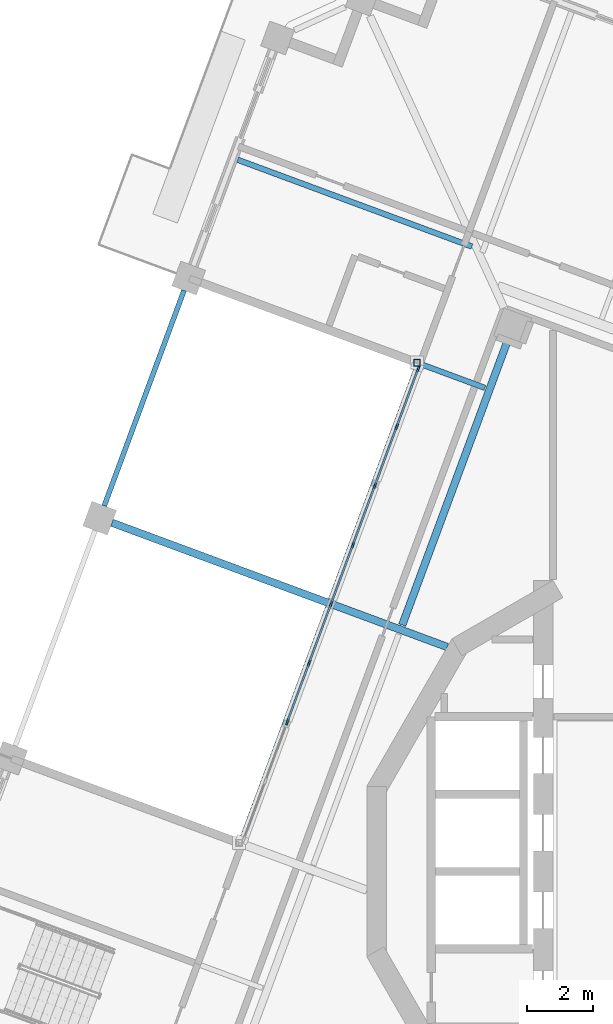
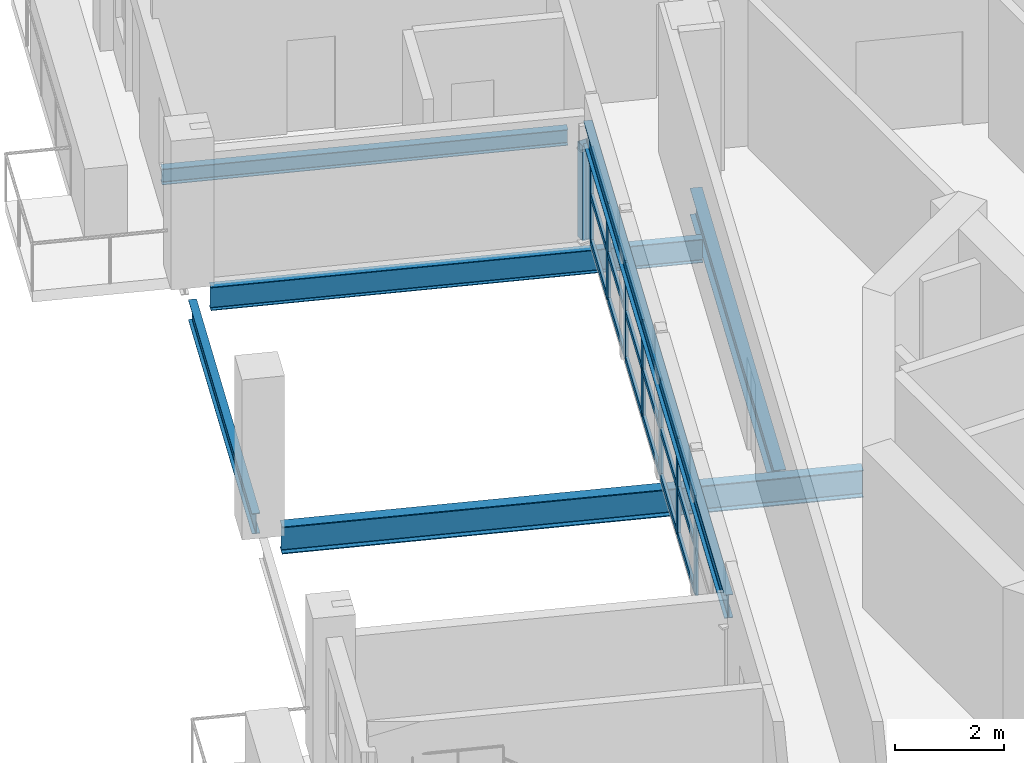
# One storey, part 4 of 20: 26 members, 6 beams, 1 element without a shape of its own.
"""IFC4 building model written with IfcOpenShell, lengths in metres."""

import ifcopenshell
import ifcopenshell.guid

model = None  # the IFC model being written
_history = None  # IfcOwnerHistory: only IFC2X3 demands one
_inside = {}  # id of a spatial element -> (the spatial element, [elements in it])
_under = {}  # id of a project, library or spatial element -> (it, [spatial elements below it])
_declared = {}  # id of a project -> (the project, [libraries it declares])
_typed = {}  # id of a type object -> (the type object, [elements of that type])
_made_of = {}  # id of a material, layer set ... -> (it, [elements and type objects made of it])


def new_model(schema):
    """Start an empty IFC model of exactly this schema.

    Asked for "IFC4X3", IfcOpenShell would pick the latest addendum, in which some entities
    have other attributes; the version numbers below select the first issue.
    IFC2X3 requires an IfcOwnerHistory on every rooted entity: one is made here for all.
    """
    global model, _history
    if schema == "IFC4X3":
        model = ifcopenshell.file(schema_version=(4, 3, 0, 0))
    else:
        model = ifcopenshell.file(schema=schema)
    _inside.clear()
    _under.clear()
    _declared.clear()
    _typed.clear()
    _made_of.clear()
    _history = None
    if model.schema == "IFC2X3":
        org = make("IfcOrganization", Name="unknown")
        user = make(
            "IfcPersonAndOrganization",
            ThePerson=make("IfcPerson", FamilyName="unknown"),
            TheOrganization=org,
        )
        app = make(
            "IfcApplication",
            ApplicationDeveloper=org,
            Version="unknown",
            ApplicationFullName="unknown",
            ApplicationIdentifier="unknown",
        )
        _history = make(
            "IfcOwnerHistory",
            OwningUser=user,
            OwningApplication=app,
            ChangeAction="ADDED",
            CreationDate=0,
        )
    return model


def make(cls, **values):
    """One entity of the class cls with the attributes given. An attribute that is None is left unset."""
    return model.create_entity(
        cls, **{name: value for name, value in values.items() if value is not None}
    )


def rooted(cls, **values):
    """An entity with a GlobalId (a new one), such as an element, a storey or a relation."""
    return make(cls, GlobalId=ifcopenshell.guid.new(), OwnerHistory=_history, **values)


def si_unit(unit_type, name, prefix=None):
    """IfcSIUnit, for example si_unit("LENGTHUNIT", "METRE", prefix="MILLI")."""
    return make("IfcSIUnit", UnitType=unit_type, Prefix=prefix, Name=name)


def assignment(units):
    """IfcUnitAssignment: the units of a project."""
    return None if units is None else make("IfcUnitAssignment", Units=units)


def point(xyz):
    """IfcCartesianPoint."""
    return None if xyz is None else make("IfcCartesianPoint", Coordinates=xyz)


def direction(xyz):
    """IfcDirection."""
    return None if xyz is None else make("IfcDirection", DirectionRatios=xyz)


def frame(location, z_axis=None, x_axis=None):
    """IfcAxis2Placement3D, a coordinate frame: its origin and axes. An axis left out is left unset."""
    return make(
        "IfcAxis2Placement3D",
        Location=point(location),
        Axis=direction(z_axis),
        RefDirection=direction(x_axis),
    )


def frame_2d(location, x_axis=None):
    """IfcAxis2Placement2D, a coordinate frame in the plane: its origin and x axis."""
    return make(
        "IfcAxis2Placement2D", Location=point(location), RefDirection=direction(x_axis)
    )


def origin():
    """The frame at (0, 0, 0) with its axes left unset."""
    return frame((0.0, 0.0, 0.0))


def origin_2d():
    """The frame at (0, 0) in the plane with its x axis left unset."""
    return frame_2d((0.0, 0.0))


def place(relative_to, where):
    """IfcLocalPlacement: puts the frame where relative to a parent placement (None: the world)."""
    return make(
        "IfcLocalPlacement", PlacementRelTo=relative_to, RelativePlacement=where
    )


def context(
    kind, dimensions, precision=None, world=None, true_north=None, identifier=None
):
    """IfcGeometricRepresentationContext, for example the 3D "Model" context."""
    return make(
        "IfcGeometricRepresentationContext",
        ContextIdentifier=identifier,
        ContextType=kind,
        CoordinateSpaceDimension=dimensions,
        Precision=precision,
        WorldCoordinateSystem=world,
        TrueNorth=true_north,
    )


def subcontext(parent, identifier, kind, view, scale=None):
    """IfcGeometricRepresentationSubContext, for example "Body" below "Model"."""
    return make(
        "IfcGeometricRepresentationSubContext",
        ContextIdentifier=identifier,
        ContextType=kind,
        ParentContext=parent,
        TargetScale=scale,
        TargetView=view,
    )


def project(units=None, contexts=None):
    """IfcProject with its units and contexts."""
    return rooted(
        "IfcProject",
        Name="project",
        RepresentationContexts=contexts,
        UnitsInContext=assignment(units),
    )


def spatial(cls, under=None, at=None, **own):
    """A site, building, storey or space (cls), placed at a placement, below another one or the project."""
    s = rooted(cls, ObjectPlacement=at, **own)
    if under is not None:
        _under.setdefault(under.id(), (under, []))[1].append(s)
    return s


def profile(cls, at=None, kind="AREA", **sizes):
    """A parametric profile (cls). Its sizes go by their IFC names, for example OverallWidth=200.0."""
    return make(cls, ProfileType=kind, Position=at, **sizes)


def rectangle(**sizes):
    """IfcRectangleProfileDef."""
    return profile("IfcRectangleProfileDef", **sizes)


def hollow_rectangle(**sizes):
    """IfcRectangleHollowProfileDef."""
    return profile("IfcRectangleHollowProfileDef", **sizes)


def i_section(**sizes):
    """IfcIShapeProfileDef."""
    return profile("IfcIShapeProfileDef", **sizes)


def extrude(swept, where, along, depth):
    """IfcExtrudedAreaSolid: the profile swept, set in the frame where, extruded along a direction by depth."""
    return make(
        "IfcExtrudedAreaSolid",
        SweptArea=swept,
        Position=where,
        ExtrudedDirection=direction(along),
        Depth=depth,
    )


def shape(context_of_items, identifier, shape_type, items):
    """IfcShapeRepresentation: the items that make up one representation, for example the "Body"."""
    return make(
        "IfcShapeRepresentation",
        ContextOfItems=context_of_items,
        RepresentationIdentifier=identifier,
        RepresentationType=shape_type,
        Items=items,
    )


def material(Name=None, Category=None):
    """IfcMaterial."""
    return make("IfcMaterial", Name=Name, Category=Category)


def material_profile(
    of_material, cross_section, Name=None, Category=None, Priority=None
):
    """IfcMaterialProfile: a cross section and its material."""
    return make(
        "IfcMaterialProfile",
        Name=Name,
        Material=of_material,
        Profile=cross_section,
        Priority=Priority,
        Category=Category,
    )


def profile_set(profiles, Name=None, composite=None):
    """IfcMaterialProfileSet."""
    return make(
        "IfcMaterialProfileSet",
        Name=Name,
        MaterialProfiles=profiles,
        CompositeProfile=composite,
    )


def made_of(thing, what):
    """Note that an element or type object is made of a material, layer set ...; save() writes the relation."""
    if what is not None:
        _made_of.setdefault(what.id(), (what, []))[1].append(thing)
    return thing


def type_object(cls, material=None, **own):
    """A type object (cls), such as IfcWallType, which elements share."""
    return made_of(rooted(cls, **own), material)


def element(
    cls,
    number,
    at=None,
    inside=None,
    cuts=None,
    type_object=None,
    material=None,
    context=None,
    identifier="Body",
    shape_type=None,
    held_by="IfcProductDefinitionShape",
    body=None,
    shapes=None,
    **own,
):
    """One element of the class cls, such as IfcWall. Its Tag is "e" and its number.

    at: its placement. inside: the storey or other place that contains it. cuts: it is an
    opening in that element (IfcRelVoidsElement). A single representation is given by context,
    identifier, shape_type and body (its items); several are given by shapes. held_by: the class
    of the entity that holds the representations. save() writes the other relations.
    """
    e = rooted(cls, Tag="e%d" % number, ObjectPlacement=at, **own)
    if body is not None:
        shapes = [shape(context, identifier, shape_type, body)]
    if shapes is not None:
        e.Representation = make(held_by, Representations=shapes)
    if inside is not None:
        _inside.setdefault(inside.id(), (inside, []))[1].append(e)
    if cuts is not None:
        rooted(
            "IfcRelVoidsElement", RelatingBuildingElement=cuts, RelatedOpeningElement=e
        )
    if type_object is not None:
        _typed.setdefault(type_object.id(), (type_object, []))[1].append(e)
    return made_of(e, material)


def aggregate(whole, parts):
    """IfcRelAggregates: a whole, such as a stair, and the parts it consists of."""
    return rooted("IfcRelAggregates", RelatingObject=whole, RelatedObjects=parts)


def save(model, path):
    """Write the relations noted so far, then the file.

    IfcRelAggregates (storeys below a building ...), IfcRelContainedInSpatialStructure (elements
    in a storey), IfcRelDefinesByType, IfcRelAssociatesMaterial and IfcRelDeclares: one each for
    every whole, place, type object, material and project.
    """
    for whole, parts in _under.values():
        aggregate(whole, parts)
    for where, things in _inside.values():
        rooted(
            "IfcRelContainedInSpatialStructure",
            RelatedElements=things,
            RelatingStructure=where,
        )
    for kind, things in _typed.values():
        rooted("IfcRelDefinesByType", RelatedObjects=things, RelatingType=kind)
    for what, things in _made_of.values():
        rooted("IfcRelAssociatesMaterial", RelatedObjects=things, RelatingMaterial=what)
    for by, libraries in _declared.values():
        rooted("IfcRelDeclares", RelatingContext=by, RelatedDefinitions=libraries)
    model.write(path)


model = new_model("IFC4")

# Units and contexts
model_context = context("Model", 3, precision=1e-05, world=origin(), true_north=direction((0.0, 1.0)))
body_context = subcontext(model_context, "Body", "Model", "MODEL_VIEW")
ifc_project = project(units=[si_unit("LENGTHUNIT", "METRE"), si_unit("AREAUNIT", "SQUARE_METRE"), si_unit("VOLUMEUNIT", "CUBIC_METRE"), si_unit("PLANEANGLEUNIT", "RADIAN"), si_unit("MASSUNIT", "GRAM", prefix="KILO")], contexts=[model_context])

# Site, building, storey
site_placement = place(None, origin())
site = spatial("IfcSite", under=ifc_project, at=site_placement, CompositionType="ELEMENT")
building_placement = place(site_placement, origin())
building = spatial("IfcBuilding", under=site, at=building_placement, Name="Cantera Rosa Tower", CompositionType="ELEMENT")
storey_placement = place(building_placement, frame((0.0, 0.0, 313.300048828125)))
storey = spatial("IfcBuildingStorey", under=building, at=storey_placement, Name="L69", CompositionType="ELEMENT", Elevation=313.300048828125)

# Curtain wall, members
ifc_material_1 = material(Name="Aluminium frame with clear glass", Category="aluminium")
curtain_wall_type = type_object("IfcCurtainWallType", Name="CW1 TERRACE POCKET GLAZING", PredefinedType="NOTDEFINED", material=ifc_material_1)
curtain_wall_placement = place(storey_placement, origin())
curtain_wall = element("IfcCurtainWall", 1, at=curtain_wall_placement, inside=storey, type_object=curtain_wall_type, Name="CW1 CW1", PredefinedType="NOTDEFINED")
ifc_material_2 = material(Name="Anodised bronze aluminium", Category="aluminium")
ifc_material_profile_1 = material_profile(ifc_material_2, rectangle(XDim=0.06005859375, YDim=0.179931640625, at=origin_2d()), Name="CW-MULLION 60x180 POCKET")
ifc_profile_set_1 = profile_set([ifc_material_profile_1], Name="Anodised bronze aluminium")
member_type_1 = type_object("IfcMemberType", Name="CW-MULLION 60x180 POCKET", PredefinedType="MULLION", material=ifc_profile_set_1)
member_1_placement = place(storey_placement, frame((-8.094970703125, 15.280029296875, 0.0), z_axis=(0.0, 0.0, 1.0), x_axis=(0.93768693693, -0.347481234472, 0.0)))
member_1 = element("IfcMember", 2, at=member_1_placement, type_object=member_type_1, Name="CW1 mullion 1", PredefinedType="MULLION", context=body_context, shape_type="SweptSolid", body=[
    extrude(rectangle(XDim=0.06005859375, YDim=0.179931640625, at=origin_2d()), origin(), (0.0, 0.0, 1.0), 2.1279296875),
])
member_2_placement = place(storey_placement, frame((-8.74951171875, 13.513671875, 0.0), z_axis=(0.0, 0.0, 1.0), x_axis=(0.93768693693, -0.347481234472, 0.0)))
member_2 = element("IfcMember", 3, at=member_2_placement, type_object=member_type_1, Name="CW1 mullion 2", PredefinedType="MULLION", context=body_context, shape_type="SweptSolid", body=[
    extrude(rectangle(XDim=0.06005859375, YDim=0.179931640625, at=origin_2d()), origin(), (0.0, 0.0, 1.0), 2.1279296875),
])
member_3_placement = place(storey_placement, frame((-9.41455078125, 11.718994140625, 0.0), z_axis=(0.0, 0.0, 1.0), x_axis=(0.93768693693, -0.347481234472, 0.0)))
member_3 = element("IfcMember", 4, at=member_3_placement, type_object=member_type_1, Name="CW1 mullion 3", PredefinedType="MULLION", context=body_context, shape_type="SweptSolid", body=[
    extrude(rectangle(XDim=0.06005859375, YDim=0.179931640625, at=origin_2d()), origin(), (0.0, 0.0, 1.0), 2.1279296875),
])
member_4_placement = place(storey_placement, frame((-10.079345703125, 9.924560546875, 0.0), z_axis=(0.0, 0.0, 1.0), x_axis=(0.93768693693, -0.347481234472, 0.0)))
member_4 = element("IfcMember", 5, at=member_4_placement, type_object=member_type_1, Name="CW1 mullion 4", PredefinedType="MULLION", context=body_context, shape_type="SweptSolid", body=[
    extrude(rectangle(XDim=0.06005859375, YDim=0.179931640625, at=origin_2d()), origin(), (0.0, 0.0, 1.0), 2.1279296875),
])
member_5_placement = place(storey_placement, frame((-10.744384765625, 8.130126953125, 0.0), z_axis=(0.0, 0.0, 1.0), x_axis=(0.93768693693, -0.347481234472, 0.0)))
member_5 = element("IfcMember", 6, at=member_5_placement, type_object=member_type_1, Name="CW1 mullion 5", PredefinedType="MULLION", context=body_context, shape_type="SweptSolid", body=[
    extrude(rectangle(XDim=0.06005859375, YDim=0.179931640625, at=origin_2d()), origin(), (0.0, 0.0, 1.0), 2.1279296875),
])
member_6_placement = place(storey_placement, frame((-11.409423828125, 6.335693359375, 0.0), z_axis=(0.0, 0.0, 1.0), x_axis=(0.93768693693, -0.347481234472, 0.0)))
member_6 = element("IfcMember", 7, at=member_6_placement, type_object=member_type_1, Name="CW1 mullion 6", PredefinedType="MULLION", context=body_context, shape_type="SweptSolid", body=[
    extrude(rectangle(XDim=0.06005859375, YDim=0.179931640625, at=origin_2d()), origin(), (0.0, 0.0, 1.0), 2.1279296875),
])
member_7_placement = place(storey_placement, frame((-12.074462890625, 4.541015625, 0.0), z_axis=(0.0, 0.0, 1.0), x_axis=(0.93768693693, -0.347481234472, 0.0)))
member_7 = element("IfcMember", 8, at=member_7_placement, type_object=member_type_1, Name="CW1 mullion 7", PredefinedType="MULLION", context=body_context, shape_type="SweptSolid", body=[
    extrude(rectangle(XDim=0.06005859375, YDim=0.179931640625, at=origin_2d()), origin(), (0.0, 0.0, 1.0), 2.1279296875),
])
ifc_material_3 = material(Name="Anodised bronze aluminium", Category="aluminium")
ifc_material_profile_2 = material_profile(ifc_material_3, rectangle(XDim=0.06005859375, YDim=0.139892578125, at=origin_2d()), Name="CW-TRANSOM 60x140 POCKET")
ifc_profile_set_2 = profile_set([ifc_material_profile_2], Name="Anodised bronze aluminium")
member_type_2 = type_object("IfcMemberType", Name="CW-TRANSOM 60x140 POCKET", PredefinedType="USERDEFINED", material=ifc_profile_set_2)
member_8_placement = place(storey_placement, frame((-8.105224609375, 15.251953125, 0.030029296875), z_axis=(-0.347497456421, -0.937680925358, 0.0), x_axis=(0.937680925358, -0.347497456421, 0.0)))
member_8 = element("IfcMember", 9, at=member_8_placement, type_object=member_type_2, Name="CW1 transom 1.1", ObjectType="TRANSOM", PredefinedType="USERDEFINED", context=body_context, shape_type="SweptSolid", body=[
    extrude(rectangle(XDim=0.06005859375, YDim=0.139892578125, at=origin_2d()), origin(), (0.0, 0.0, 1.0), 1.823974609375),
])
member_9_placement = place(storey_placement, frame((-8.105224609375, 15.251953125, 1.06396484375), z_axis=(-0.347497456421, -0.937680925358, 0.0), x_axis=(0.937680925358, -0.347497456421, 0.0)))
member_9 = element("IfcMember", 10, at=member_9_placement, type_object=member_type_2, Name="CW1 transom 1.2", ObjectType="TRANSOM", PredefinedType="USERDEFINED", context=body_context, shape_type="SweptSolid", body=[
    extrude(rectangle(XDim=0.06005859375, YDim=0.139892578125, at=origin_2d()), origin(), (0.0, 0.0, 1.0), 1.823974609375),
])
member_10_placement = place(storey_placement, frame((-8.105224609375, 15.251953125, 2.097900390625), z_axis=(-0.347497456421, -0.937680925358, 0.0), x_axis=(0.937680925358, -0.347497456421, 0.0)))
member_10 = element("IfcMember", 11, at=member_10_placement, type_object=member_type_2, Name="CW1 transom 1.3", ObjectType="TRANSOM", PredefinedType="USERDEFINED", context=body_context, shape_type="SweptSolid", body=[
    extrude(rectangle(XDim=0.06005859375, YDim=0.139892578125, at=origin_2d()), origin(), (0.0, 0.0, 1.0), 1.823974609375),
])
member_11_placement = place(storey_placement, frame((-8.760009765625, 13.485595703125, 0.030029296875), z_axis=(-0.347425877782, -0.937707448753, 0.0), x_axis=(0.937707448753, -0.347425877782, 0.0)))
member_11 = element("IfcMember", 12, at=member_11_placement, type_object=member_type_2, Name="CW1 transom 2.1", ObjectType="TRANSOM", PredefinedType="USERDEFINED", context=body_context, shape_type="SweptSolid", body=[
    extrude(rectangle(XDim=0.06005859375, YDim=0.139892578125, at=origin_2d()), origin(), (0.0, 0.0, 1.0), 1.853759765625),
])
member_12_placement = place(storey_placement, frame((-8.760009765625, 13.485595703125, 1.06396484375), z_axis=(-0.347425877782, -0.937707448753, 0.0), x_axis=(0.937707448753, -0.347425877782, 0.0)))
member_12 = element("IfcMember", 13, at=member_12_placement, type_object=member_type_2, Name="CW1 transom 2.2", ObjectType="TRANSOM", PredefinedType="USERDEFINED", context=body_context, shape_type="SweptSolid", body=[
    extrude(rectangle(XDim=0.06005859375, YDim=0.139892578125, at=origin_2d()), origin(), (0.0, 0.0, 1.0), 1.853759765625),
])
member_13_placement = place(storey_placement, frame((-8.760009765625, 13.485595703125, 2.097900390625), z_axis=(-0.347425877782, -0.937707448753, 0.0), x_axis=(0.937707448753, -0.347425877782, 0.0)))
member_13 = element("IfcMember", 14, at=member_13_placement, type_object=member_type_2, Name="CW1 transom 2.3", ObjectType="TRANSOM", PredefinedType="USERDEFINED", context=body_context, shape_type="SweptSolid", body=[
    extrude(rectangle(XDim=0.06005859375, YDim=0.139892578125, at=origin_2d()), origin(), (0.0, 0.0, 1.0), 1.853759765625),
])
member_14_placement = place(storey_placement, frame((-9.4248046875, 11.69091796875, 0.030029296875), z_axis=(-0.347541673446, -0.937664537678, 0.0), x_axis=(0.937664537678, -0.347541673446, 0.0)))
member_14 = element("IfcMember", 15, at=member_14_placement, type_object=member_type_2, Name="CW1 transom 3.1", ObjectType="TRANSOM", PredefinedType="USERDEFINED", context=body_context, shape_type="SweptSolid", body=[
    extrude(rectangle(XDim=0.06005859375, YDim=0.139892578125, at=origin_2d()), origin(), (0.0, 0.0, 1.0), 1.853759765625),
])
member_15_placement = place(storey_placement, frame((-9.4248046875, 11.69091796875, 1.06396484375), z_axis=(-0.347541673446, -0.937664537678, 0.0), x_axis=(0.937664537678, -0.347541673446, 0.0)))
member_15 = element("IfcMember", 16, at=member_15_placement, type_object=member_type_2, Name="CW1 transom 3.2", ObjectType="TRANSOM", PredefinedType="USERDEFINED", context=body_context, shape_type="SweptSolid", body=[
    extrude(rectangle(XDim=0.06005859375, YDim=0.139892578125, at=origin_2d()), origin(), (0.0, 0.0, 1.0), 1.853759765625),
])
member_16_placement = place(storey_placement, frame((-9.4248046875, 11.69091796875, 2.097900390625), z_axis=(-0.347541673446, -0.937664537678, 0.0), x_axis=(0.937664537678, -0.347541673446, 0.0)))
member_16 = element("IfcMember", 17, at=member_16_placement, type_object=member_type_2, Name="CW1 transom 3.3", ObjectType="TRANSOM", PredefinedType="USERDEFINED", context=body_context, shape_type="SweptSolid", body=[
    extrude(rectangle(XDim=0.06005859375, YDim=0.139892578125, at=origin_2d()), origin(), (0.0, 0.0, 1.0), 1.853759765625),
])
member_17_placement = place(storey_placement, frame((-10.08984375, 9.896484375, 0.030029296875), z_axis=(-0.347541673446, -0.937664537678, 0.0), x_axis=(0.937664537678, -0.347541673446, 0.0)))
member_17 = element("IfcMember", 18, at=member_17_placement, type_object=member_type_2, Name="CW1 transom 4.1", ObjectType="TRANSOM", PredefinedType="USERDEFINED", context=body_context, shape_type="SweptSolid", body=[
    extrude(rectangle(XDim=0.06005859375, YDim=0.139892578125, at=origin_2d()), origin(), (0.0, 0.0, 1.0), 1.853759765625),
])
member_18_placement = place(storey_placement, frame((-10.08984375, 9.896484375, 1.06396484375), z_axis=(-0.347541673446, -0.937664537678, 0.0), x_axis=(0.937664537678, -0.347541673446, 0.0)))
member_18 = element("IfcMember", 19, at=member_18_placement, type_object=member_type_2, Name="CW1 transom 4.2", ObjectType="TRANSOM", PredefinedType="USERDEFINED", context=body_context, shape_type="SweptSolid", body=[
    extrude(rectangle(XDim=0.06005859375, YDim=0.139892578125, at=origin_2d()), origin(), (0.0, 0.0, 1.0), 1.853759765625),
])
member_19_placement = place(storey_placement, frame((-10.08984375, 9.896484375, 2.097900390625), z_axis=(-0.347541673446, -0.937664537678, 0.0), x_axis=(0.937664537678, -0.347541673446, 0.0)))
member_19 = element("IfcMember", 20, at=member_19_placement, type_object=member_type_2, Name="CW1 transom 4.3", ObjectType="TRANSOM", PredefinedType="USERDEFINED", context=body_context, shape_type="SweptSolid", body=[
    extrude(rectangle(XDim=0.06005859375, YDim=0.139892578125, at=origin_2d()), origin(), (0.0, 0.0, 1.0), 1.853759765625),
])
member_20_placement = place(storey_placement, frame((-10.7548828125, 8.10205078125, 0.030029296875), z_axis=(-0.347425877782, -0.937707448753, 0.0), x_axis=(0.937707448753, -0.347425877782, 0.0)))
member_20 = element("IfcMember", 21, at=member_20_placement, type_object=member_type_2, Name="CW1 transom 5.1", ObjectType="TRANSOM", PredefinedType="USERDEFINED", context=body_context, shape_type="SweptSolid", body=[
    extrude(rectangle(XDim=0.06005859375, YDim=0.139892578125, at=origin_2d()), origin(), (0.0, 0.0, 1.0), 1.853759765625),
])
member_21_placement = place(storey_placement, frame((-10.7548828125, 8.10205078125, 1.06396484375), z_axis=(-0.347425877782, -0.937707448753, 0.0), x_axis=(0.937707448753, -0.347425877782, 0.0)))
member_21 = element("IfcMember", 22, at=member_21_placement, type_object=member_type_2, Name="CW1 transom 5.2", ObjectType="TRANSOM", PredefinedType="USERDEFINED", context=body_context, shape_type="SweptSolid", body=[
    extrude(rectangle(XDim=0.06005859375, YDim=0.139892578125, at=origin_2d()), origin(), (0.0, 0.0, 1.0), 1.853759765625),
])
member_22_placement = place(storey_placement, frame((-10.7548828125, 8.10205078125, 2.097900390625), z_axis=(-0.347425877782, -0.937707448753, 0.0), x_axis=(0.937707448753, -0.347425877782, 0.0)))
member_22 = element("IfcMember", 23, at=member_22_placement, type_object=member_type_2, Name="CW1 transom 5.3", ObjectType="TRANSOM", PredefinedType="USERDEFINED", context=body_context, shape_type="SweptSolid", body=[
    extrude(rectangle(XDim=0.06005859375, YDim=0.139892578125, at=origin_2d()), origin(), (0.0, 0.0, 1.0), 1.853759765625),
])
member_23_placement = place(storey_placement, frame((-11.419921875, 6.307373046875, 0.030029296875), z_axis=(-0.347468788607, -0.937691548935, 0.0), x_axis=(0.937691548935, -0.347468788607, 0.0)))
member_23 = element("IfcMember", 24, at=member_23_placement, type_object=member_type_2, Name="CW1 transom 6.1", ObjectType="TRANSOM", PredefinedType="USERDEFINED", context=body_context, shape_type="SweptSolid", body=[
    extrude(rectangle(XDim=0.06005859375, YDim=0.139892578125, at=origin_2d()), origin(), (0.0, 0.0, 1.0), 1.853515625),
])
member_24_placement = place(storey_placement, frame((-11.419921875, 6.307373046875, 1.06396484375), z_axis=(-0.347468788607, -0.937691548935, 0.0), x_axis=(0.937691548935, -0.347468788607, 0.0)))
member_24 = element("IfcMember", 25, at=member_24_placement, type_object=member_type_2, Name="CW1 transom 6.2", ObjectType="TRANSOM", PredefinedType="USERDEFINED", context=body_context, shape_type="SweptSolid", body=[
    extrude(rectangle(XDim=0.06005859375, YDim=0.139892578125, at=origin_2d()), origin(), (0.0, 0.0, 1.0), 1.853515625),
])
member_25_placement = place(storey_placement, frame((-11.419921875, 6.307373046875, 2.097900390625), z_axis=(-0.347468788607, -0.937691548935, 0.0), x_axis=(0.937691548935, -0.347468788607, 0.0)))
member_25 = element("IfcMember", 26, at=member_25_placement, type_object=member_type_2, Name="CW1 transom 6.3", ObjectType="TRANSOM", PredefinedType="USERDEFINED", context=body_context, shape_type="SweptSolid", body=[
    extrude(rectangle(XDim=0.06005859375, YDim=0.139892578125, at=origin_2d()), origin(), (0.0, 0.0, 1.0), 1.853515625),
])
aggregate(curtain_wall, [member_1, member_2, member_3, member_4, member_5, member_6, member_7, member_8, member_9, member_10, member_11, member_12, member_13, member_14, member_15, member_16, member_17, member_18, member_19, member_20, member_21, member_22, member_23, member_24, member_25])

# Member
ifc_material_4 = material(Name="Steel ASTM A992 (Fy 345 MPa)", Category="steel")
ifc_material_profile_3 = material_profile(ifc_material_4, hollow_rectangle(XDim=0.199951171875, YDim=0.199951171875, WallThickness=0.010009765625, at=origin_2d()), Name="LINTEL POST RHS 200x200x10")
ifc_profile_set_3 = profile_set([ifc_material_profile_3], Name="Steel ASTM A992 (Fy 345 MPa)")
member_type_3 = type_object("IfcMemberType", Name="LINTEL POST RHS 200x200x10", PredefinedType="USERDEFINED", material=ifc_profile_set_3)
member_26_placement = place(storey_placement, frame((-8.134765625, 15.460205078125, 0.0), z_axis=(0.0, 0.0, 1.0), x_axis=(1.0, 0.0, 0.0)))
element("IfcMember", 27, at=member_26_placement, inside=storey, type_object=member_type_3, Name="LINTEL POST L69-1", ObjectType="LINTEL POST", PredefinedType="USERDEFINED", context=body_context, shape_type="SweptSolid", body=[
    extrude(hollow_rectangle(XDim=0.199951171875, YDim=0.199951171875, WallThickness=0.010009765625, at=origin_2d()), origin(), (0.0, 0.0, 1.0), 2.1298828125),
])

# Beams
ifc_material_5 = material(Name="Steel ASTM A992 (Fy 345 MPa)", Category="steel")
ifc_material_profile_4 = material_profile(ifc_material_5, i_section(OverallWidth=0.166015625, OverallDepth=0.528076171875, WebThickness=0.009765625, FlangeThickness=0.013671875, FilletRadius=0.0126953125, at=origin_2d()), Name="W530X74")
ifc_profile_set_4 = profile_set([ifc_material_profile_4], Name="Steel ASTM A992 (Fy 345 MPa)")
beam_type_1 = type_object("IfcBeamType", Name="STEEL BEAM W530X74", PredefinedType="BEAM", material=ifc_profile_set_4)
beam_1_placement = place(storey_placement, frame((-14.69873046875, 17.892333984375, -0.51416015625), z_axis=(0.937688566, -0.347476838353, 0.0), x_axis=(0.347476838353, 0.937688566, 0.0)))
element("IfcBeam", 28, at=beam_1_placement, inside=storey, type_object=beam_type_1, Name="G-Z6-04 L69", PredefinedType="BEAM", context=body_context, shape_type="SweptSolid", body=[
    extrude(i_section(OverallWidth=0.166015625, OverallDepth=0.528076171875, WebThickness=0.009765625, FlangeThickness=0.013671875, FilletRadius=0.0126953125, at=origin_2d()), origin(), (0.0, 0.0, 1.0), 9.199951171875),
])
beam_2_placement = place(storey_placement, frame((-8.105224609375, 15.395751953125, 2.39404296875), z_axis=(-0.347483050197, -0.93768626407, 0.0), x_axis=(0.93768626407, -0.347483050197, 0.0)))
element("IfcBeam", 29, at=beam_2_placement, inside=storey, type_object=beam_type_1, Name="LINTEL SL-L69", PredefinedType="BEAM", context=body_context, shape_type="SweptSolid", body=[
    extrude(i_section(OverallWidth=0.166015625, OverallDepth=0.528076171875, WebThickness=0.009765625, FlangeThickness=0.013671875, FilletRadius=0.0126953125, at=origin_2d()), origin(), (0.0, 0.0, 1.0), 15.4599609375),
])
ifc_material_6 = material(Name="Steel ASTM A992 (Fy 345 MPa)", Category="steel")
ifc_material_profile_5 = material_profile(ifc_material_6, i_section(OverallWidth=0.22802734375, OverallDepth=0.60205078125, WebThickness=0.010498046875, FlangeThickness=0.014892578125, FilletRadius=0.0126953125, at=origin_2d()), Name="W610X101")
ifc_profile_set_5 = profile_set([ifc_material_profile_5], Name="Steel ASTM A992 (Fy 345 MPa)")
beam_type_2 = type_object("IfcBeamType", Name="STEEL BEAM W610X101", PredefinedType="BEAM", material=ifc_profile_set_5)
beam_3_placement = place(storey_placement, frame((-8.58251953125, 7.489013671875, -0.551025390625), z_axis=(0.347474937304, 0.937689270465, 0.0), x_axis=(-0.937689270465, 0.347474937304, 0.0)))
element("IfcBeam", 30, at=beam_3_placement, inside=storey, type_object=beam_type_2, Name="RB-Z6-03 L69", PredefinedType="BEAM", context=body_context, shape_type="SweptSolid", body=[
    extrude(i_section(OverallWidth=0.22802734375, OverallDepth=0.60205078125, WebThickness=0.010498046875, FlangeThickness=0.014892578125, FilletRadius=0.0126953125, at=origin_2d()), origin(), (0.0, 0.0, 1.0), 9.2099609375),
])
ifc_material_7 = material(Name="Steel ASTM A992 (Fy 345 MPa)", Category="steel")
ifc_material_profile_6 = material_profile(ifc_material_7, i_section(OverallWidth=0.22900390625, OverallDepth=0.612060546875, WebThickness=0.011962890625, FlangeThickness=0.01953125, FilletRadius=0.0126953125, at=origin_2d()), Name="W610X125")
ifc_profile_set_6 = profile_set([ifc_material_profile_6], Name="Steel ASTM A992 (Fy 345 MPa)")
beam_type_3 = type_object("IfcBeamType", Name="STEEL BEAM W610X125", PredefinedType="BEAM", material=ifc_profile_set_6)
beam_4_placement = place(storey_placement, frame((-17.402099609375, 10.59716796875, -0.55615234375), z_axis=(0.937686127687, -0.347483418229, 0.0), x_axis=(0.347483418229, 0.937686127687, 0.0)))
element("IfcBeam", 31, at=beam_4_placement, inside=storey, type_object=beam_type_3, Name="G-Z6-05 L69", PredefinedType="BEAM", context=body_context, shape_type="SweptSolid", body=[
    extrude(i_section(OverallWidth=0.22900390625, OverallDepth=0.612060546875, WebThickness=0.011962890625, FlangeThickness=0.01953125, FilletRadius=0.0126953125, at=origin_2d()), origin(), (0.0, 0.0, 1.0), 10.8642578125),
])
ifc_material_8 = material(Name="Steel ASTM A992 (Fy 345 MPa)", Category="steel")
ifc_material_profile_7 = material_profile(ifc_material_8, i_section(OverallWidth=0.1708984375, OverallDepth=0.35595703125, WebThickness=0.00732421875, FlangeThickness=0.01171875, FilletRadius=0.010009765625, at=origin_2d()), Name="W360X51")
ifc_profile_set_7 = profile_set([ifc_material_profile_7], Name="Steel ASTM A992 (Fy 345 MPa)")
beam_type_4 = type_object("IfcBeamType", Name="STEEL JOIST W360X51", PredefinedType="JOIST", material=ifc_profile_set_7)
beam_5_placement = place(storey_placement, frame((-13.581298828125, 21.626953125, -0.427978515625), z_axis=(0.93768239316, -0.347493495705, 0.0), x_axis=(0.347493495705, 0.93768239316, 0.0)))
element("IfcBeam", 32, at=beam_5_placement, inside=storey, type_object=beam_type_4, Name="B-Z6-05 L69", PredefinedType="JOIST", context=body_context, shape_type="SweptSolid", body=[
    extrude(i_section(OverallWidth=0.1708984375, OverallDepth=0.35595703125, WebThickness=0.00732421875, FlangeThickness=0.01171875, FilletRadius=0.010009765625, at=origin_2d()), origin(), (0.0, 0.0, 1.0), 7.58984375),
])
ifc_material_9 = material(Name="Steel ASTM A992 (Fy 345 MPa)", Category="steel")
ifc_material_profile_8 = material_profile(ifc_material_9, i_section(OverallWidth=0.154052734375, OverallDepth=0.4599609375, WebThickness=0.009033203125, FlangeThickness=0.015380859375, FilletRadius=0.01025390625, at=origin_2d()), Name="W460X68")
ifc_profile_set_8 = profile_set([ifc_material_profile_8], Name="Steel ASTM A992 (Fy 345 MPa)")
beam_type_5 = type_object("IfcBeamType", Name="STEEL SPANDREL BEAM W460X68", PredefinedType="SPANDREL", material=ifc_profile_set_8)
beam_6_placement = place(storey_placement, frame((-15.212646484375, 17.65625, -0.47998046875), z_axis=(-0.347502316452, -0.937679124253, 0.0), x_axis=(0.937679124253, -0.347502316452, 0.0)))
element("IfcBeam", 33, at=beam_6_placement, inside=storey, type_object=beam_type_5, Name="EB-Z6-08 L69", PredefinedType="SPANDREL", context=body_context, shape_type="SweptSolid", body=[
    extrude(i_section(OverallWidth=0.154052734375, OverallDepth=0.4599609375, WebThickness=0.009033203125, FlangeThickness=0.015380859375, FilletRadius=0.01025390625, at=origin_2d()), origin(), (0.0, 0.0, 1.0), 6.97998046875),
])

save(model, "model.ifc")
